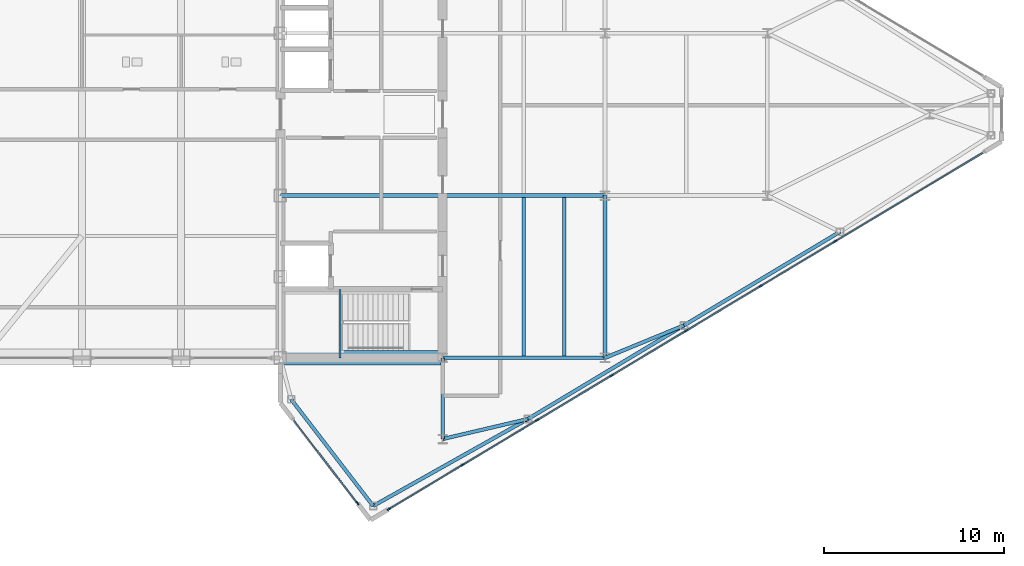
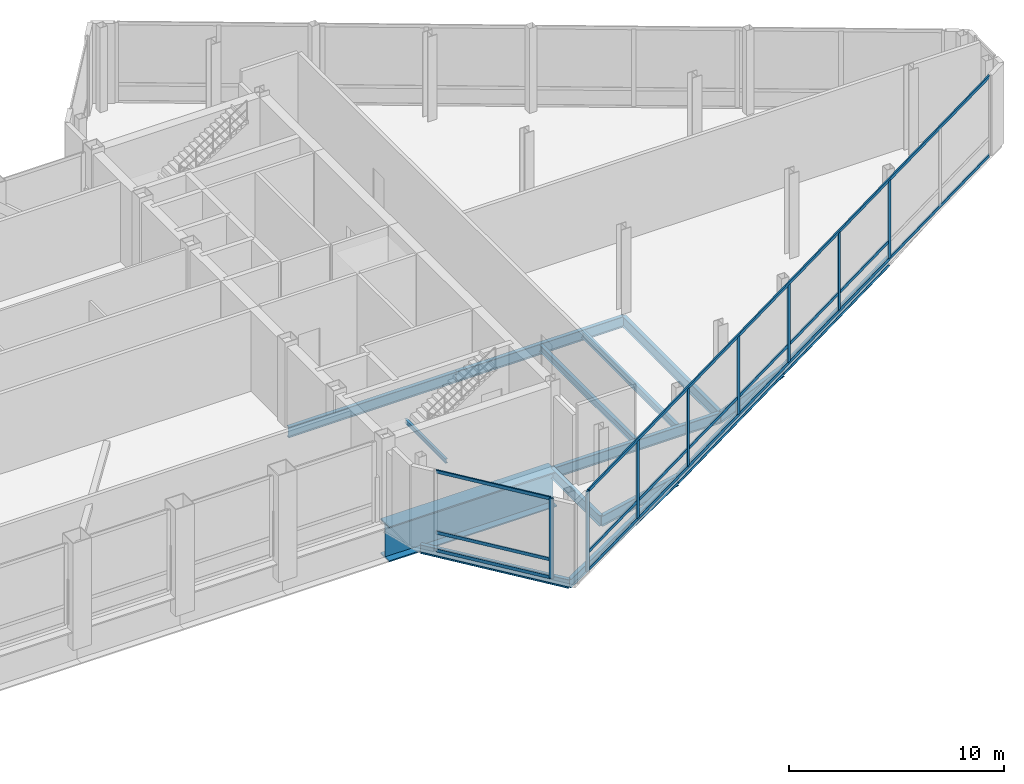
# One storey, part 14 of 29: 19 members, 15 beams, 2 elements without a shape of their own.
"""IFC4 building model written with IfcOpenShell, lengths in metres."""

from ifc_helpers import new_model, si_unit, direction, frame, origin, origin_2d, place, context, subcontext, project, spatial, rectangle, i_section, extrude, source, transform, mapped, material, layer, layer_set, material_profile, profile_set, type_object, type_shapes, element, aggregate, save


model = new_model("IFC4")

# Units and contexts
model_context = context("Model", 3, precision=1e-05, world=origin(), true_north=direction((0.0, 1.0)))
body_context = subcontext(model_context, "Body", "Model", "MODEL_VIEW")
ifc_project = project(units=[si_unit("LENGTHUNIT", "METRE"), si_unit("AREAUNIT", "SQUARE_METRE"), si_unit("VOLUMEUNIT", "CUBIC_METRE"), si_unit("PLANEANGLEUNIT", "RADIAN"), si_unit("MASSUNIT", "GRAM", prefix="KILO")], contexts=[model_context])

# Site, building, storey
site_placement = place(None, origin())
site = spatial("IfcSite", under=ifc_project, at=site_placement, CompositionType="ELEMENT")
building_placement = place(site_placement, origin())
building = spatial("IfcBuilding", under=site, at=building_placement, Name="Seokmaru Belvedere", CompositionType="ELEMENT")
storey_placement = place(building_placement, frame((0.0, 0.0, 229.800048828125)))
storey = spatial("IfcBuildingStorey", under=building, at=storey_placement, Name="L61", CompositionType="ELEMENT", Elevation=229.800048828125)

# Beams
ifc_material_1 = material(Name="Steel SM355 (355 MPa)", Category="steel")
ifc_material_profile_1 = material_profile(ifc_material_1, i_section(OverallWidth=0.199951171875, OverallDepth=0.60009765625, WebThickness=0.010986328125, FlangeThickness=0.01708984375, at=origin_2d()), Name="H-600x200x11x17")
ifc_profile_set_1 = profile_set([ifc_material_profile_1], Name="Steel SM355 (355 MPa)")
beam_type_1 = type_object("IfcBeamType", Name="Primary Floor Girder H-600", PredefinedType="BEAM", material=ifc_profile_set_1)
shared_shape_1 = source(origin(), body_context, "Body", "SweptSolid", [
    extrude(i_section(OverallWidth=0.199951171875, OverallDepth=0.60009765625, WebThickness=0.010986328125, FlangeThickness=0.01708984375, at=origin_2d()), origin(), (0.0, 0.0, 1.0), 9.0),
])
for number, where, z_axis, x_axis, name in (
    (1, (45.5, -13.5, -0.56005859375), (0.0, 1.0, 0.0), (-1.0, 0.0, 0.0), "L61 E Interior Grid Girder 1"),
    (2, (36.5, -13.5, -0.56005859375), (1.0, 0.0, 0.0), (0.0, 1.0, 0.0), "L61 E Wing Primary Girder 1"),
    (3, (27.5, -4.5, -0.56005859375), (1.0, 0.0, 0.0), (0.0, 1.0, 0.0), "L61 E Core Tie Girder 2"),
    (4, (36.5, -4.5, -0.56005859375), (1.0, 0.0, 0.0), (0.0, 1.0, 0.0), "L61 E Wing Primary Girder 2"),
):
    element("IfcBeam", number, at=place(storey_placement, frame(where, z_axis=z_axis, x_axis=x_axis)), inside=storey, type_object=beam_type_1, Name=name, PredefinedType="BEAM", context=body_context, shape_type="MappedRepresentation", body=[
        mapped(shared_shape_1, transform((0.0, 0.0, 0.0), scale=1.0)),
    ])
ifc_material_profile_2 = material_profile(ifc_material_1, i_section(OverallWidth=0.18505859375, OverallDepth=0.389892578125, WebThickness=0.008056640625, FlangeThickness=0.011962890625, at=origin_2d()), Name="H-390x185x8x12")
ifc_profile_set_2 = profile_set([ifc_material_profile_2], Name="Steel SM355 (355 MPa)")
beam_type_2 = type_object("IfcBeamType", Name="Secondary Floor Joist H-350", PredefinedType="JOIST", material=ifc_profile_set_2)
shared_shape_2 = source(origin(), body_context, "Body", "SweptSolid", [
    extrude(i_section(OverallWidth=0.18505859375, OverallDepth=0.389892578125, WebThickness=0.008056640625, FlangeThickness=0.011962890625, at=origin_2d()), origin(), (0.0, 0.0, 1.0), 8.7900390625),
])
type_shapes(beam_type_2, [shared_shape_2])
for number, where, z_axis, x_axis, name in (
    (5, (43.25, -13.39501953125, -0.455078125), (0.0, 1.0, 0.0), (-1.0, 0.0, 0.0), "L61 E Wing Inner Secondary Joist 1"),
    (6, (41.0, -13.39501953125, -0.455078125), (0.0, 1.0, 0.0), (-1.0, 0.0, 0.0), "L61 E Secondary Floor Joist 1"),
):
    element("IfcBeam", number, at=place(storey_placement, frame(where, z_axis=z_axis, x_axis=x_axis)), inside=storey, type_object=beam_type_2, Name=name, PredefinedType="JOIST", context=body_context, shape_type="MappedRepresentation", body=[
        mapped(shared_shape_2, transform((0.0, 0.0, 0.0), scale=1.0)),
    ])
shared_shape_3 = source(origin(), body_context, "Body", "SweptSolid", [
    extrude(i_section(OverallWidth=0.199951171875, OverallDepth=0.60009765625, WebThickness=0.010986328125, FlangeThickness=0.01708984375, at=origin_2d()), origin(), (0.0, 0.0, 1.0), 4.5),
])
beam_1_placement = place(storey_placement, frame((36.5, -18.0, -0.56005859375), z_axis=(0.0, 1.0, 0.0), x_axis=(-1.0, 0.0, 0.0)))
element("IfcBeam", 7, at=beam_1_placement, inside=storey, type_object=beam_type_1, Name="L61 E Core Shoulder Girder S", PredefinedType="BEAM", context=body_context, shape_type="MappedRepresentation", body=[
    mapped(shared_shape_3, transform((0.0, 0.0, 0.0), scale=1.0)),
])
ifc_material_profile_3 = material_profile(ifc_material_1, i_section(OverallWidth=0.199951171875, OverallDepth=0.5, WebThickness=0.010009765625, FlangeThickness=0.01611328125, at=origin_2d()), Name="H-500x200x10x16")
ifc_profile_set_3 = profile_set([ifc_material_profile_3], Name="Steel SM355 (355 MPa)")
beam_type_3 = type_object("IfcBeamType", Name="Perimeter Spandrel Beam H-500", PredefinedType="SPANDREL", material=ifc_profile_set_3)
shared_shape_4 = source(origin(), body_context, "Body", "SweptSolid", [
    extrude(i_section(OverallWidth=0.199951171875, OverallDepth=0.5, WebThickness=0.010009765625, FlangeThickness=0.01611328125, at=origin_2d()), origin(), (0.0, 0.0, 1.0), 9.842041015625),
])
beam_2_placement = place(storey_placement, frame((32.649658203125, -21.71044921875, -0.510009765625), z_axis=(0.871782151818, 0.489893743349, 0.0), x_axis=(-0.489893743349, 0.871782151818, 0.0)))
element("IfcBeam", 8, at=beam_2_placement, inside=storey, type_object=beam_type_3, Name="L61 E Faceted Flank Spandrel S-1", PredefinedType="SPANDREL", context=body_context, shape_type="MappedRepresentation", body=[
    mapped(shared_shape_4, transform((0.0, 0.0, 0.0), scale=1.0)),
])
shared_shape_5 = source(origin(), body_context, "Body", "SweptSolid", [
    extrude(i_section(OverallWidth=0.199951171875, OverallDepth=0.5, WebThickness=0.010009765625, FlangeThickness=0.01611328125, at=origin_2d()), origin(), (0.0, 0.0, 1.0), 10.087646484375),
])
for number, where, z_axis, x_axis, name in (
    (9, (41.229736328125, -16.888916015625, -0.510009765625), (0.857499332045, 0.514485078056, 0.0), (-0.514485078056, 0.857499332045, 0.0), "L61 E Faceted Flank Spandrel S-2"),
    (10, (49.8798828125, -11.698974609375, -0.510009765625), (0.857488654804, 0.514502873542, 0.0), (-0.514502873542, 0.857488654804, 0.0), "L61 E Faceted Flank Spandrel S-3"),
):
    element("IfcBeam", number, at=place(storey_placement, frame(where, z_axis=z_axis, x_axis=x_axis)), inside=storey, type_object=beam_type_3, Name=name, PredefinedType="SPANDREL", context=body_context, shape_type="MappedRepresentation", body=[
        mapped(shared_shape_5, transform((0.0, 0.0, 0.0), scale=1.0)),
    ])
shared_shape_6 = source(origin(), body_context, "Body", "SweptSolid", [
    extrude(i_section(OverallWidth=0.199951171875, OverallDepth=0.5, WebThickness=0.010009765625, FlangeThickness=0.01611328125, at=origin_2d()), origin(), (0.0, 0.0, 1.0), 7.4619140625),
])
type_shapes(beam_type_3, [shared_shape_4, shared_shape_5, shared_shape_6])
beam_3_placement = place(storey_placement, frame((32.649658203125, -21.71044921875, -0.510009765625), z_axis=(-0.609702854945, 0.792630070507, 0.0), x_axis=(-0.792630070507, -0.609702854945, 0.0)))
element("IfcBeam", 11, at=beam_3_placement, inside=storey, type_object=beam_type_3, Name="L61 E Shoulder Chamfer Spandrel S", PredefinedType="SPANDREL", context=body_context, shape_type="MappedRepresentation", body=[
    mapped(shared_shape_6, transform((0.0, 0.0, 0.0), scale=1.0)),
])
shared_shape_7 = source(origin(), body_context, "Body", "SweptSolid", [
    extrude(i_section(OverallWidth=0.199951171875, OverallDepth=0.60009765625, WebThickness=0.010986328125, FlangeThickness=0.01708984375, at=origin_2d()), origin(), (0.0, 0.0, 1.0), 4.8583984375),
])
beam_4_placement = place(storey_placement, frame((41.229736328125, -16.888916015625, -0.56005859375), z_axis=(-0.97349948295, -0.228689214211, 0.0), x_axis=(0.228689214211, -0.97349948295, 0.0)))
element("IfcBeam", 12, at=beam_4_placement, inside=storey, type_object=beam_type_1, Name="L61 E Flank Radial Floor Girder S-1", PredefinedType="BEAM", context=body_context, shape_type="MappedRepresentation", body=[
    mapped(shared_shape_7, transform((0.0, 0.0, 0.0), scale=1.0)),
])
shared_shape_8 = source(origin(), body_context, "Body", "SweptSolid", [
    extrude(i_section(OverallWidth=0.199951171875, OverallDepth=0.60009765625, WebThickness=0.010986328125, FlangeThickness=0.01708984375, at=origin_2d()), origin(), (0.0, 0.0, 1.0), 4.73583984375),
])
type_shapes(beam_type_1, [shared_shape_1, shared_shape_3, shared_shape_7, shared_shape_8])
beam_5_placement = place(storey_placement, frame((49.8798828125, -11.698974609375, -0.56005859375), z_axis=(-0.924860562953, -0.380306375301, 0.0), x_axis=(0.380306375301, -0.924860562953, 0.0)))
element("IfcBeam", 13, at=beam_5_placement, inside=storey, type_object=beam_type_1, Name="L61 E Flank Radial Floor Girder S-2", PredefinedType="BEAM", context=body_context, shape_type="MappedRepresentation", body=[
    mapped(shared_shape_8, transform((0.0, 0.0, 0.0), scale=1.0)),
])
ifc_material_2 = material(Name="Steel HSA650 (650 MPa)", Category="steel")
ifc_material_profile_4 = material_profile(ifc_material_2, i_section(OverallWidth=0.800048828125, OverallDepth=2.0, WebThickness=0.0400390625, FlangeThickness=0.070068359375, at=origin_2d()), Name="BH-2000x800x40x70")
ifc_profile_set_4 = profile_set([ifc_material_profile_4], Name="Steel HSA650 (650 MPa)")
beam_type_4 = type_object("IfcBeamType", Name="Sky-Gate Transfer Truss Chord Girder BH-2000", PredefinedType="BEAM", material=ifc_profile_set_4)
shared_shape_9 = source(origin(), body_context, "Body", "SweptSolid", [
    extrude(i_section(OverallWidth=0.800048828125, OverallDepth=2.0, WebThickness=0.0400390625, FlangeThickness=0.070068359375, at=origin_2d()), origin(), (0.0, 0.0, 1.0), 9.0),
])
type_shapes(beam_type_4, [shared_shape_9])
beam_6_placement = place(storey_placement, frame((27.5, -13.5, -1.260009765625), z_axis=(1.0, 0.0, 0.0), x_axis=(0.0, 1.0, 0.0)))
element("IfcBeam", 14, at=beam_6_placement, inside=storey, type_object=beam_type_4, Name="L61 Sky-Gate Transfer Truss Chord S-12", PredefinedType="BEAM", context=body_context, shape_type="MappedRepresentation", body=[
    mapped(shared_shape_9, transform((0.0, 0.0, 0.0), scale=1.0)),
])

# Curtain wall, member
ifc_material_3 = material(Name="Bronze Triple Insulating Glass", Category="glass")
ifc_layer = layer(ifc_material_3, 0.219970703125)
ifc_layer_set = layer_set([ifc_layer], Name="Bronze Triple Insulating Glass")
curtain_wall_type = type_object("IfcCurtainWallType", Name="Sky-Gate Bridge Panorama Curtain Wall System CW-6", PredefinedType="NOTDEFINED", material=ifc_layer_set)
curtain_wall_1_placement = place(storey_placement, origin())
curtain_wall_1 = element("IfcCurtainWall", 15, at=curtain_wall_1_placement, inside=storey, type_object=curtain_wall_type, Name="L61 Curtain Wall EF1", PredefinedType="NOTDEFINED")
ifc_material_4 = material(Name="Anodised Bronze Aluminium", Category="aluminium")
ifc_material_profile_5 = material_profile(ifc_material_4, rectangle(XDim=0.080078125, YDim=0.219970703125, at=origin_2d()), Name="CW-M-80x220")
ifc_profile_set_5 = profile_set([ifc_material_profile_5], Name="Anodised Bronze Aluminium")
member_type_1 = type_object("IfcMemberType", Name="Bronze Unitised Mullion 80x220", PredefinedType="MULLION", material=ifc_profile_set_5)
shared_shape_10 = source(origin(), body_context, "Body", "SweptSolid", [
    extrude(rectangle(XDim=0.080078125, YDim=0.219970703125, at=origin_2d()), origin(), (0.0, 0.0, 1.0), 4.5400390625),
])
member_1_placement = place(storey_placement, frame((33.5205078125, -21.8876953125, 0.0), z_axis=(0.0, 0.0, 1.0), x_axis=(-0.514494909364, 0.85749343335, 0.0)))
member_1 = element("IfcMember", 16, at=member_1_placement, type_object=member_type_1, Name="CW:L61:EF1 Mullion 1", PredefinedType="MULLION", context=body_context, shape_type="MappedRepresentation", body=[
    mapped(shared_shape_10, transform((0.0, 0.0, 0.0), scale=1.0)),
])

# Curtain wall, members
curtain_wall_2_placement = place(storey_placement, origin())
curtain_wall_2 = element("IfcCurtainWall", 17, at=curtain_wall_2_placement, inside=storey, type_object=curtain_wall_type, Name="L61 Curtain Wall EF6", PredefinedType="NOTDEFINED")
member_2_placement = place(storey_placement, frame((31.7744140625, -21.556884765625, 0.0), z_axis=(0.0, 0.0, 1.0), x_axis=(0.792631353244, 0.609701187349, 0.0)))
member_2 = element("IfcMember", 18, at=member_2_placement, type_object=member_type_1, Name="CW:L61:EF6 Mullion 2", PredefinedType="MULLION", context=body_context, shape_type="MappedRepresentation", body=[
    mapped(shared_shape_10, transform((0.0, 0.0, 0.0), scale=1.0)),
])
ifc_material_profile_6 = material_profile(ifc_material_4, rectangle(XDim=0.074951171875, YDim=0.179931640625, at=origin_2d()), Name="CW-T-75x180")
ifc_profile_set_6 = profile_set([ifc_material_profile_6], Name="Anodised Bronze Aluminium")
member_type_2 = type_object("IfcMemberType", Name="Bronze Unitised Transom 75x180", PredefinedType="USERDEFINED", material=ifc_profile_set_6)
shared_shape_11 = source(origin(), body_context, "Body", "SweptSolid", [
    extrude(rectangle(XDim=0.074951171875, YDim=0.179931640625, at=origin_2d()), origin(), (0.0, 0.0, 1.0), 5.74072265625),
])
member_3_placement = place(storey_placement, frame((28.25, -16.974853515625, 0.037353515625), z_axis=(0.609686097287, -0.792642960465, 0.0), x_axis=(0.792642960465, 0.609686097287, 0.0)))
member_3 = element("IfcMember", 19, at=member_3_placement, type_object=member_type_2, Name="CW:L61:EF6 Continuous Transom 1", ObjectType="TRANSOM", PredefinedType="USERDEFINED", context=body_context, shape_type="MappedRepresentation", body=[
    mapped(shared_shape_11, transform((0.0, 0.0, 0.0), scale=1.0)),
])
member_4_placement = place(storey_placement, frame((28.25, -16.974853515625, 4.50244140625), z_axis=(0.609686097287, -0.792642960465, 0.0), x_axis=(0.792642960465, 0.609686097287, 0.0)))
member_4 = element("IfcMember", 20, at=member_4_placement, type_object=member_type_2, Name="CW:L61:EF6 Continuous Transom 2", ObjectType="TRANSOM", PredefinedType="USERDEFINED", context=body_context, shape_type="MappedRepresentation", body=[
    mapped(shared_shape_11, transform((0.0, 0.0, 0.0), scale=1.0)),
])
member_5_placement = place(storey_placement, frame((28.25, -16.974853515625, 1.050048828125), z_axis=(0.609686097287, -0.792642960465, 0.0), x_axis=(0.792642960465, 0.609686097287, 0.0)))
member_5 = element("IfcMember", 21, at=member_5_placement, type_object=member_type_2, Name="CW:L61:EF6 Spandrel Transom 1", ObjectType="TRANSOM", PredefinedType="USERDEFINED", context=body_context, shape_type="MappedRepresentation", body=[
    mapped(shared_shape_11, transform((0.0, 0.0, 0.0), scale=1.0)),
])
aggregate(curtain_wall_2, [member_2, member_3, member_4, member_5])

# Member
shared_shape_12 = source(origin(), body_context, "Body", "SweptSolid", [
    extrude(rectangle(XDim=0.080078125, YDim=0.219970703125, at=origin_2d()), origin(), (0.0, 0.0, 1.0), 4.389892578125),
])
type_shapes(member_type_1, [shared_shape_10, shared_shape_12])
member_6_placement = place(storey_placement, frame((37.614501953125, -19.43115234375, 0.074951171875), z_axis=(0.0, 0.0, 1.0), x_axis=(-0.514494909364, 0.85749343335, 0.0)))
member_6 = element("IfcMember", 22, at=member_6_placement, type_object=member_type_1, Name="CW:L61:EF1 Mullion 2", PredefinedType="MULLION", context=body_context, shape_type="MappedRepresentation", body=[
    mapped(shared_shape_12, transform((0.0, 0.0, 0.0), scale=1.0)),
])

member_7_placement = place(storey_placement, frame((41.7431640625, -16.9541015625, 0.074951171875), z_axis=(0.0, 0.0, 1.0), x_axis=(-0.514494909364, 0.85749343335, 0.0)))
member_7 = element("IfcMember", 23, at=member_7_placement, type_object=member_type_1, Name="CW:L61:EF1 Mullion 3", PredefinedType="MULLION", context=body_context, shape_type="MappedRepresentation", body=[
    mapped(shared_shape_12, transform((0.0, 0.0, 0.0), scale=1.0)),
])

member_8_placement = place(storey_placement, frame((45.87158203125, -14.47705078125, 0.074951171875), z_axis=(0.0, 0.0, 1.0), x_axis=(-0.514494909364, 0.85749343335, 0.0)))
member_8 = element("IfcMember", 24, at=member_8_placement, type_object=member_type_1, Name="CW:L61:EF1 Mullion 4", PredefinedType="MULLION", context=body_context, shape_type="MappedRepresentation", body=[
    mapped(shared_shape_12, transform((0.0, 0.0, 0.0), scale=1.0)),
])

member_9_placement = place(storey_placement, frame((50.0, -12.0, 0.074951171875), z_axis=(0.0, 0.0, 1.0), x_axis=(-0.514494909364, 0.85749343335, 0.0)))
member_9 = element("IfcMember", 25, at=member_9_placement, type_object=member_type_1, Name="CW:L61:EF1 Mullion 5", PredefinedType="MULLION", context=body_context, shape_type="MappedRepresentation", body=[
    mapped(shared_shape_12, transform((0.0, 0.0, 0.0), scale=1.0)),
])

member_10_placement = place(storey_placement, frame((54.12841796875, -9.52294921875, 0.074951171875), z_axis=(0.0, 0.0, 1.0), x_axis=(-0.514494909364, 0.85749343335, 0.0)))
member_10 = element("IfcMember", 26, at=member_10_placement, type_object=member_type_1, Name="CW:L61:EF1 Mullion 6", PredefinedType="MULLION", context=body_context, shape_type="MappedRepresentation", body=[
    mapped(shared_shape_12, transform((0.0, 0.0, 0.0), scale=1.0)),
])

member_11_placement = place(storey_placement, frame((58.257080078125, -7.0458984375, 0.074951171875), z_axis=(0.0, 0.0, 1.0), x_axis=(-0.514494909364, 0.85749343335, 0.0)))
member_11 = element("IfcMember", 27, at=member_11_placement, type_object=member_type_1, Name="CW:L61:EF1 Mullion 7", PredefinedType="MULLION", context=body_context, shape_type="MappedRepresentation", body=[
    mapped(shared_shape_12, transform((0.0, 0.0, 0.0), scale=1.0)),
])

shared_shape_13 = source(origin(), body_context, "Body", "SweptSolid", [
    extrude(rectangle(XDim=0.074951171875, YDim=0.179931640625, at=origin_2d()), origin(), (0.0, 0.0, 1.0), 38.356689453125),
])
member_12_placement = place(storey_placement, frame((33.5546875, -21.8671875, 0.037353515625), z_axis=(0.857492925713, 0.514495755428, 0.0), x_axis=(-0.514495755428, 0.857492925713, 0.0)))
member_12 = element("IfcMember", 28, at=member_12_placement, type_object=member_type_2, Name="CW:L61:EF1 Continuous Transom 1", ObjectType="TRANSOM", PredefinedType="USERDEFINED", context=body_context, shape_type="MappedRepresentation", body=[
    mapped(shared_shape_13, transform((0.0, 0.0, 0.0), scale=1.0)),
])

member_13_placement = place(storey_placement, frame((33.5546875, -21.8671875, 4.50244140625), z_axis=(0.857492925713, 0.514495755428, 0.0), x_axis=(-0.514495755428, 0.857492925713, 0.0)))
member_13 = element("IfcMember", 29, at=member_13_placement, type_object=member_type_2, Name="CW:L61:EF1 Continuous Transom 2", ObjectType="TRANSOM", PredefinedType="USERDEFINED", context=body_context, shape_type="MappedRepresentation", body=[
    mapped(shared_shape_13, transform((0.0, 0.0, 0.0), scale=1.0)),
])

shared_shape_14 = source(origin(), body_context, "Body", "SweptSolid", [
    extrude(rectangle(XDim=0.074951171875, YDim=0.179931640625, at=origin_2d()), origin(), (0.0, 0.0, 1.0), 4.694580078125),
])
member_14_placement = place(storey_placement, frame((33.5546875, -21.8671875, 1.050048828125), z_axis=(0.85750210284, 0.514480459906, 0.0), x_axis=(-0.514480459906, 0.85750210284, 0.0)))
member_14 = element("IfcMember", 30, at=member_14_placement, type_object=member_type_2, Name="CW:L61:EF1 Spandrel Transom 1", ObjectType="TRANSOM", PredefinedType="USERDEFINED", context=body_context, shape_type="MappedRepresentation", body=[
    mapped(shared_shape_14, transform((0.0, 0.0, 0.0), scale=1.0)),
])

shared_shape_15 = source(origin(), body_context, "Body", "SweptSolid", [
    extrude(rectangle(XDim=0.074951171875, YDim=0.179931640625, at=origin_2d()), origin(), (0.0, 0.0, 1.0), 4.734619140625),
])
member_15_placement = place(storey_placement, frame((37.64892578125, -19.41064453125, 1.050048828125), z_axis=(0.857479275774, 0.514518504641, 0.0), x_axis=(-0.514518504641, 0.857479275774, 0.0)))
member_15 = element("IfcMember", 31, at=member_15_placement, type_object=member_type_2, Name="CW:L61:EF1 Spandrel Transom 2", ObjectType="TRANSOM", PredefinedType="USERDEFINED", context=body_context, shape_type="MappedRepresentation", body=[
    mapped(shared_shape_15, transform((0.0, 0.0, 0.0), scale=1.0)),
])

shared_shape_16 = source(origin(), body_context, "Body", "SweptSolid", [
    extrude(rectangle(XDim=0.074951171875, YDim=0.179931640625, at=origin_2d()), origin(), (0.0, 0.0, 1.0), 4.734375),
])
member_16_placement = place(storey_placement, frame((41.77734375, -16.93359375, 1.050048828125), z_axis=(0.857502025578, 0.514480588682, 0.0), x_axis=(-0.514480588682, 0.857502025578, 0.0)))
member_16 = element("IfcMember", 32, at=member_16_placement, type_object=member_type_2, Name="CW:L61:EF1 Spandrel Transom 3", ObjectType="TRANSOM", PredefinedType="USERDEFINED", context=body_context, shape_type="MappedRepresentation", body=[
    mapped(shared_shape_16, transform((0.0, 0.0, 0.0), scale=1.0)),
])

member_17_placement = place(storey_placement, frame((54.162841796875, -9.502197265625, 1.050048828125), z_axis=(0.857502025578, 0.514480588682, 0.0), x_axis=(-0.514480588682, 0.857502025578, 0.0)))
member_17 = element("IfcMember", 33, at=member_17_placement, type_object=member_type_2, Name="CW:L61:EF1 Spandrel Transom 6", ObjectType="TRANSOM", PredefinedType="USERDEFINED", context=body_context, shape_type="MappedRepresentation", body=[
    mapped(shared_shape_16, transform((0.0, 0.0, 0.0), scale=1.0)),
])

shared_shape_17 = source(origin(), body_context, "Body", "SweptSolid", [
    extrude(rectangle(XDim=0.074951171875, YDim=0.179931640625, at=origin_2d()), origin(), (0.0, 0.0, 1.0), 4.73486328125),
])
type_shapes(member_type_2, [shared_shape_11, shared_shape_13, shared_shape_14, shared_shape_15, shared_shape_16, shared_shape_17])
member_18_placement = place(storey_placement, frame((45.90576171875, -14.45654296875, 1.050048828125), z_axis=(0.857492925713, 0.514495755428, 0.0), x_axis=(-0.514495755428, 0.857492925713, 0.0)))
member_18 = element("IfcMember", 34, at=member_18_placement, type_object=member_type_2, Name="CW:L61:EF1 Spandrel Transom 4", ObjectType="TRANSOM", PredefinedType="USERDEFINED", context=body_context, shape_type="MappedRepresentation", body=[
    mapped(shared_shape_17, transform((0.0, 0.0, 0.0), scale=1.0)),
])

member_19_placement = place(storey_placement, frame((50.0341796875, -11.9794921875, 1.050048828125), z_axis=(0.857492925713, 0.514495755428, 0.0), x_axis=(-0.514495755428, 0.857492925713, 0.0)))
member_19 = element("IfcMember", 35, at=member_19_placement, type_object=member_type_2, Name="CW:L61:EF1 Spandrel Transom 5", ObjectType="TRANSOM", PredefinedType="USERDEFINED", context=body_context, shape_type="MappedRepresentation", body=[
    mapped(shared_shape_17, transform((0.0, 0.0, 0.0), scale=1.0)),
])

aggregate(curtain_wall_1, [member_1, member_6, member_7, member_8, member_9, member_10, member_11, member_12, member_13, member_14, member_15, member_16, member_18, member_19, member_17])

# Beam
ifc_material_profile_7 = material_profile(ifc_material_1, i_section(OverallWidth=0.125, OverallDepth=0.25, WebThickness=0.006103515625, FlangeThickness=0.009033203125, at=origin_2d()), Name="H-250x125x6x9")
ifc_profile_set_7 = profile_set([ifc_material_profile_7], Name="Steel SM355 (355 MPa)")
beam_type_5 = type_object("IfcBeamType", Name="Stair Mid-Landing Support Beam H-250", PredefinedType="JOIST", material=ifc_profile_set_7)
shared_shape_18 = source(origin(), body_context, "Body", "SweptSolid", [
    extrude(i_section(OverallWidth=0.125, OverallDepth=0.25, WebThickness=0.006103515625, FlangeThickness=0.009033203125, at=origin_2d()), origin(), (0.0, 0.0, 1.0), 3.800048828125),
])
type_shapes(beam_type_5, [shared_shape_18])
beam_7_placement = place(storey_placement, frame((30.81005859375, -13.5, 2.074951171875), z_axis=(0.0, 1.0, 0.0), x_axis=(-1.0, 0.0, 0.0)))
element("IfcBeam", 36, at=beam_7_placement, inside=storey, type_object=beam_type_5, Name="L61 Stair ST-E1 Mid-Landing Support Beam 1", PredefinedType="JOIST", context=body_context, shape_type="MappedRepresentation", body=[
    mapped(shared_shape_18, transform((0.0, 0.0, 0.0), scale=1.0)),
])

save(model, "model.ifc")
